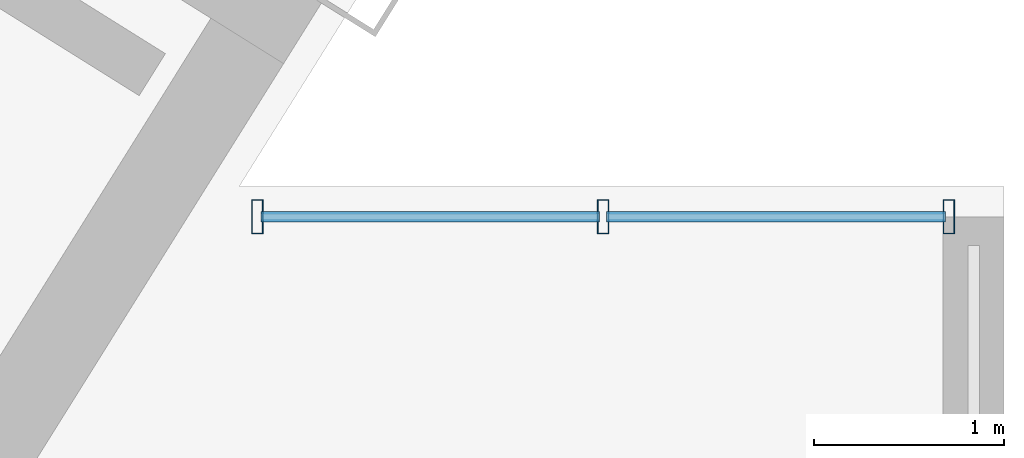
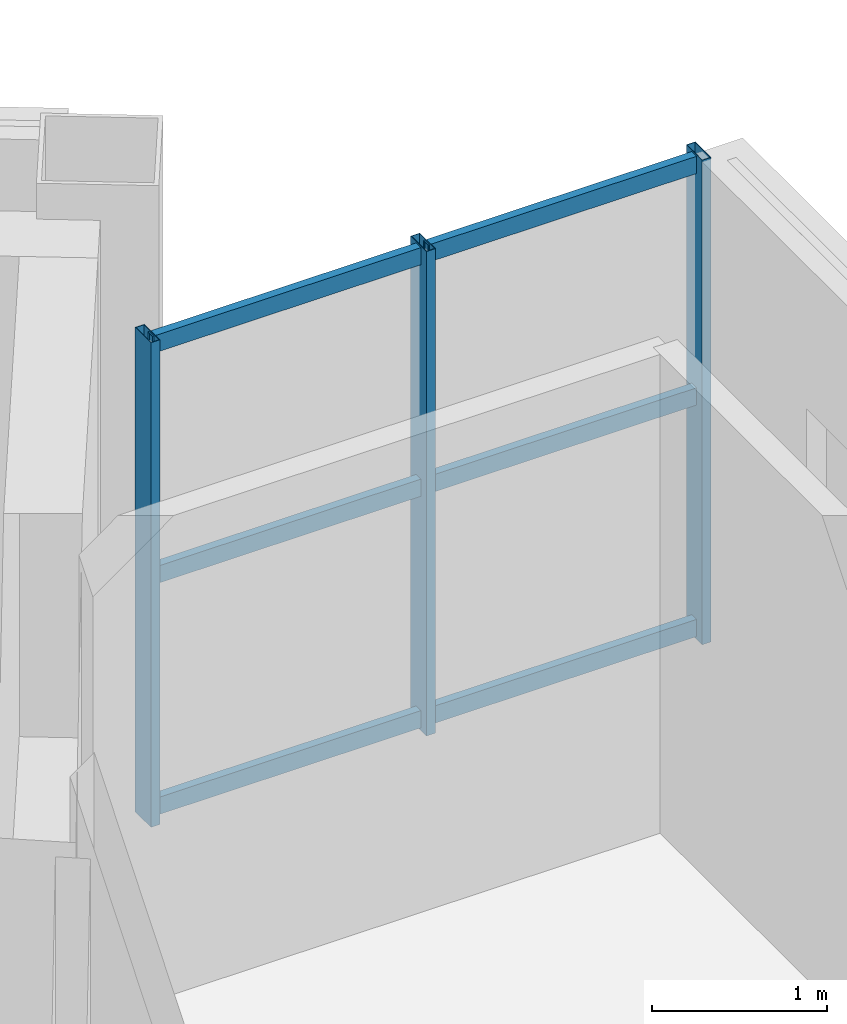
# One storey, part 5 of 14: 9 members, 1 element without a shape of its own.
"""IFC4 building model written with IfcOpenShell, lengths in metres."""

from ifc_helpers import new_model, si_unit, direction, frame, origin, origin_2d, place, context, subcontext, project, spatial, hollow_rectangle, extrude, source, transform, mapped, material, material_profile, profile_set, type_object, element, aggregate, save


model = new_model("IFC4")

# Units and contexts
model_context = context("Model", 3, precision=1e-05, world=origin(), true_north=direction((0.0, 1.0)))
body_context = subcontext(model_context, "Body", "Model", "MODEL_VIEW")
ifc_project = project(units=[si_unit("LENGTHUNIT", "METRE"), si_unit("AREAUNIT", "SQUARE_METRE"), si_unit("VOLUMEUNIT", "CUBIC_METRE"), si_unit("PLANEANGLEUNIT", "RADIAN"), si_unit("MASSUNIT", "GRAM", prefix="KILO")], contexts=[model_context])

# Site, building, storey
site_placement = place(None, origin())
site = spatial("IfcSite", under=ifc_project, at=site_placement, CompositionType="ELEMENT")
building_placement = place(site_placement, origin())
building = spatial("IfcBuilding", under=site, at=building_placement, Name="Tlacorven Tower", CompositionType="ELEMENT")
storey_placement = place(building_placement, frame((0.0, 0.0, 284.39990234375)))
storey = spatial("IfcBuildingStorey", under=building, at=storey_placement, Name="L72", CompositionType="ELEMENT", Elevation=284.39990234375)

# Curtain wall, members
ifc_material_1 = material(Name="Dark solar low-E double glazing in aluminium frame", Category="aluminium")
curtain_wall_type = type_object("IfcCurtainWallType", Name="CW-TWR-HIGH", PredefinedType="USERDEFINED", material=ifc_material_1)
curtain_wall_placement = place(storey_placement, origin())
curtain_wall = element("IfcCurtainWall", 1, at=curtain_wall_placement, inside=storey, type_object=curtain_wall_type, Name="L72 CW-TWR-HIGH Curtain Wall 338", ObjectType="UNITISED CURTAIN WALL", PredefinedType="USERDEFINED")
ifc_material_2 = material(Name="Aluminium 6063-T6 anodised", Category="aluminium")
ifc_material_profile_1 = material_profile(ifc_material_2, hollow_rectangle(XDim=0.06005859375, YDim=0.179931640625, WallThickness=0.00390625, at=origin_2d()), Name="ALU MULLION 60X180")
ifc_profile_set_1 = profile_set([ifc_material_profile_1], Name="Aluminium 6063-T6 anodised")
member_type_1 = type_object("IfcMemberType", Name="CWM-03", PredefinedType="MULLION", material=ifc_profile_set_1)
shared_shape_1 = source(origin(), body_context, "Body", "SweptSolid", [
    extrude(hollow_rectangle(XDim=0.06005859375, YDim=0.179931640625, WallThickness=0.00390625, at=origin_2d()), origin(), (0.0, 0.0, 1.0), 3.380126953125),
])
member_1_placement = place(storey_placement, frame((40.27392578125, 23.0400390625, -0.02001953125), z_axis=(0.0, 0.0, 1.0), x_axis=(1.0, 0.0, 0.0)))
member_1 = element("IfcMember", 2, at=member_1_placement, type_object=member_type_1, Name="CW-L72-338 Mullion 1", PredefinedType="MULLION", context=body_context, shape_type="MappedRepresentation", body=[
    mapped(shared_shape_1, transform((0.0, 0.0, 0.0), scale=1.0)),
])
member_2_placement = place(storey_placement, frame((42.092041015625, 23.0400390625, -0.02001953125), z_axis=(0.0, 0.0, 1.0), x_axis=(1.0, 0.0, 0.0)))
member_2 = element("IfcMember", 3, at=member_2_placement, type_object=member_type_1, Name="CW-L72-338 Mullion 2", PredefinedType="MULLION", context=body_context, shape_type="MappedRepresentation", body=[
    mapped(shared_shape_1, transform((0.0, 0.0, 0.0), scale=1.0)),
])
member_3_placement = place(storey_placement, frame((43.909912109375, 23.0400390625, -0.02001953125), z_axis=(0.0, 0.0, 1.0), x_axis=(1.0, 0.0, 0.0)))
member_3 = element("IfcMember", 4, at=member_3_placement, type_object=member_type_1, Name="CW-L72-338 Mullion 3", PredefinedType="MULLION", context=body_context, shape_type="MappedRepresentation", body=[
    mapped(shared_shape_1, transform((0.0, 0.0, 0.0), scale=1.0)),
])
ifc_material_profile_2 = material_profile(ifc_material_2, hollow_rectangle(XDim=0.054931640625, YDim=0.1201171875, WallThickness=0.00341796875, at=origin_2d()), Name="ALU TRANSOM 55X120")
ifc_profile_set_2 = profile_set([ifc_material_profile_2], Name="Aluminium 6063-T6 anodised")
member_type_2 = type_object("IfcMemberType", Name="CWT-03", PredefinedType="USERDEFINED", material=ifc_profile_set_2)
shared_shape_2 = source(origin(), body_context, "Body", "SweptSolid", [
    extrude(hollow_rectangle(XDim=0.054931640625, YDim=0.1201171875, WallThickness=0.00341796875, at=origin_2d()), origin(), (0.0, 0.0, 1.0), 1.781982421875),
])
member_4_placement = place(storey_placement, frame((40.2919921875, 23.0400390625, 0.06005859375), z_axis=(1.0, 0.0, 0.0), x_axis=(0.0, 1.0, 0.0)))
member_4 = element("IfcMember", 5, at=member_4_placement, type_object=member_type_2, Name="CW-L72-338 Transom 1", ObjectType="TRANSOM", PredefinedType="USERDEFINED", context=body_context, shape_type="MappedRepresentation", body=[
    mapped(shared_shape_2, transform((0.0, 0.0, 0.0), scale=1.0)),
])
member_5_placement = place(storey_placement, frame((40.2919921875, 23.0400390625, 1.675048828125), z_axis=(1.0, 0.0, 0.0), x_axis=(0.0, 1.0, 0.0)))
member_5 = element("IfcMember", 6, at=member_5_placement, type_object=member_type_2, Name="CW-L72-338 Transom 2", ObjectType="TRANSOM", PredefinedType="USERDEFINED", context=body_context, shape_type="MappedRepresentation", body=[
    mapped(shared_shape_2, transform((0.0, 0.0, 0.0), scale=1.0)),
])
member_6_placement = place(storey_placement, frame((40.2919921875, 23.0400390625, 3.2900390625), z_axis=(1.0, 0.0, 0.0), x_axis=(0.0, 1.0, 0.0)))
member_6 = element("IfcMember", 7, at=member_6_placement, type_object=member_type_2, Name="CW-L72-338 Transom 3", ObjectType="TRANSOM", PredefinedType="USERDEFINED", context=body_context, shape_type="MappedRepresentation", body=[
    mapped(shared_shape_2, transform((0.0, 0.0, 0.0), scale=1.0)),
])
shared_shape_3 = source(origin(), body_context, "Body", "SweptSolid", [
    extrude(hollow_rectangle(XDim=0.054931640625, YDim=0.1201171875, WallThickness=0.00341796875, at=origin_2d()), origin(), (0.0, 0.0, 1.0), 1.7822265625),
])
member_7_placement = place(storey_placement, frame((42.10986328125, 23.0400390625, 0.06005859375), z_axis=(1.0, 0.0, 0.0), x_axis=(0.0, 1.0, 0.0)))
member_7 = element("IfcMember", 8, at=member_7_placement, type_object=member_type_2, Name="CW-L72-338 Transom 4", ObjectType="TRANSOM", PredefinedType="USERDEFINED", context=body_context, shape_type="MappedRepresentation", body=[
    mapped(shared_shape_3, transform((0.0, 0.0, 0.0), scale=1.0)),
])
member_8_placement = place(storey_placement, frame((42.10986328125, 23.0400390625, 1.675048828125), z_axis=(1.0, 0.0, 0.0), x_axis=(0.0, 1.0, 0.0)))
member_8 = element("IfcMember", 9, at=member_8_placement, type_object=member_type_2, Name="CW-L72-338 Transom 5", ObjectType="TRANSOM", PredefinedType="USERDEFINED", context=body_context, shape_type="MappedRepresentation", body=[
    mapped(shared_shape_3, transform((0.0, 0.0, 0.0), scale=1.0)),
])
member_9_placement = place(storey_placement, frame((42.10986328125, 23.0400390625, 3.2900390625), z_axis=(1.0, 0.0, 0.0), x_axis=(0.0, 1.0, 0.0)))
member_9 = element("IfcMember", 10, at=member_9_placement, type_object=member_type_2, Name="CW-L72-338 Transom 6", ObjectType="TRANSOM", PredefinedType="USERDEFINED", context=body_context, shape_type="MappedRepresentation", body=[
    mapped(shared_shape_3, transform((0.0, 0.0, 0.0), scale=1.0)),
])
aggregate(curtain_wall, [member_1, member_2, member_3, member_4, member_5, member_6, member_7, member_8, member_9])

save(model, "model.ifc")
